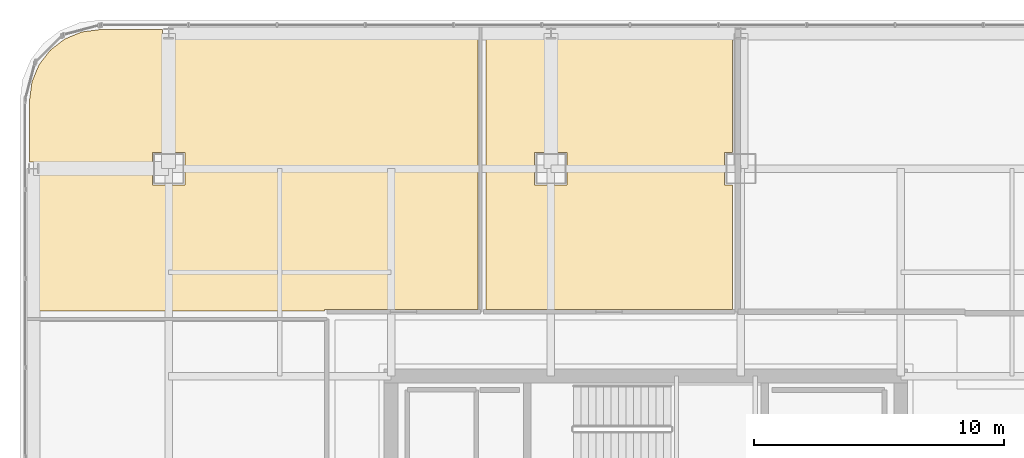
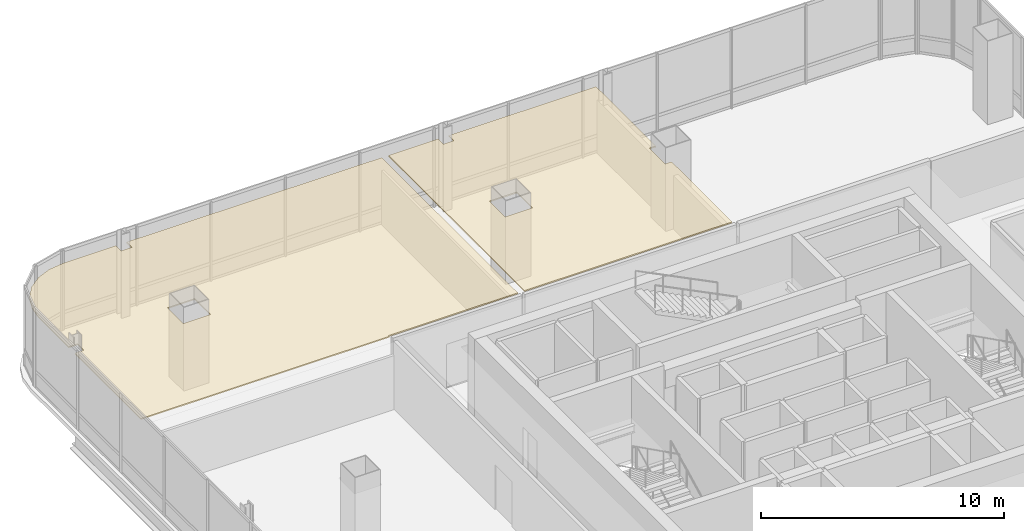
# One storey, part 41 of 41: 2 coverings.
"""IFC4 building model written with IfcOpenShell, lengths in metres."""

import ifcopenshell
import ifcopenshell.guid

model = None  # the IFC model being written
_history = None  # IfcOwnerHistory: only IFC2X3 demands one
_inside = {}  # id of a spatial element -> (the spatial element, [elements in it])
_under = {}  # id of a project, library or spatial element -> (it, [spatial elements below it])
_declared = {}  # id of a project -> (the project, [libraries it declares])
_typed = {}  # id of a type object -> (the type object, [elements of that type])
_made_of = {}  # id of a material, layer set ... -> (it, [elements and type objects made of it])


def new_model(schema):
    """Start an empty IFC model of exactly this schema.

    Asked for "IFC4X3", IfcOpenShell would pick the latest addendum, in which some entities
    have other attributes; the version numbers below select the first issue.
    IFC2X3 requires an IfcOwnerHistory on every rooted entity: one is made here for all.
    """
    global model, _history
    if schema == "IFC4X3":
        model = ifcopenshell.file(schema_version=(4, 3, 0, 0))
    else:
        model = ifcopenshell.file(schema=schema)
    _inside.clear()
    _under.clear()
    _declared.clear()
    _typed.clear()
    _made_of.clear()
    _history = None
    if model.schema == "IFC2X3":
        org = make("IfcOrganization", Name="unknown")
        user = make(
            "IfcPersonAndOrganization",
            ThePerson=make("IfcPerson", FamilyName="unknown"),
            TheOrganization=org,
        )
        app = make(
            "IfcApplication",
            ApplicationDeveloper=org,
            Version="unknown",
            ApplicationFullName="unknown",
            ApplicationIdentifier="unknown",
        )
        _history = make(
            "IfcOwnerHistory",
            OwningUser=user,
            OwningApplication=app,
            ChangeAction="ADDED",
            CreationDate=0,
        )
    return model


def make(cls, **values):
    """One entity of the class cls with the attributes given. An attribute that is None is left unset."""
    return model.create_entity(
        cls, **{name: value for name, value in values.items() if value is not None}
    )


def rooted(cls, **values):
    """An entity with a GlobalId (a new one), such as an element, a storey or a relation."""
    return make(cls, GlobalId=ifcopenshell.guid.new(), OwnerHistory=_history, **values)


def si_unit(unit_type, name, prefix=None):
    """IfcSIUnit, for example si_unit("LENGTHUNIT", "METRE", prefix="MILLI")."""
    return make("IfcSIUnit", UnitType=unit_type, Prefix=prefix, Name=name)


def assignment(units):
    """IfcUnitAssignment: the units of a project."""
    return None if units is None else make("IfcUnitAssignment", Units=units)


def point(xyz):
    """IfcCartesianPoint."""
    return None if xyz is None else make("IfcCartesianPoint", Coordinates=xyz)


def direction(xyz):
    """IfcDirection."""
    return None if xyz is None else make("IfcDirection", DirectionRatios=xyz)


def frame(location, z_axis=None, x_axis=None):
    """IfcAxis2Placement3D, a coordinate frame: its origin and axes. An axis left out is left unset."""
    return make(
        "IfcAxis2Placement3D",
        Location=point(location),
        Axis=direction(z_axis),
        RefDirection=direction(x_axis),
    )


def origin():
    """The frame at (0, 0, 0) with its axes left unset."""
    return frame((0.0, 0.0, 0.0))


def place(relative_to, where):
    """IfcLocalPlacement: puts the frame where relative to a parent placement (None: the world)."""
    return make(
        "IfcLocalPlacement", PlacementRelTo=relative_to, RelativePlacement=where
    )


def context(
    kind, dimensions, precision=None, world=None, true_north=None, identifier=None
):
    """IfcGeometricRepresentationContext, for example the 3D "Model" context."""
    return make(
        "IfcGeometricRepresentationContext",
        ContextIdentifier=identifier,
        ContextType=kind,
        CoordinateSpaceDimension=dimensions,
        Precision=precision,
        WorldCoordinateSystem=world,
        TrueNorth=true_north,
    )


def subcontext(parent, identifier, kind, view, scale=None):
    """IfcGeometricRepresentationSubContext, for example "Body" below "Model"."""
    return make(
        "IfcGeometricRepresentationSubContext",
        ContextIdentifier=identifier,
        ContextType=kind,
        ParentContext=parent,
        TargetScale=scale,
        TargetView=view,
    )


def project(units=None, contexts=None):
    """IfcProject with its units and contexts."""
    return rooted(
        "IfcProject",
        Name="project",
        RepresentationContexts=contexts,
        UnitsInContext=assignment(units),
    )


def spatial(cls, under=None, at=None, **own):
    """A site, building, storey or space (cls), placed at a placement, below another one or the project."""
    s = rooted(cls, ObjectPlacement=at, **own)
    if under is not None:
        _under.setdefault(under.id(), (under, []))[1].append(s)
    return s


def polyline(points):
    """IfcPolyline through the points."""
    return make("IfcPolyline", Points=[point(p) for p in points])


def outline(outer, holes=None, kind="AREA"):
    """IfcArbitraryClosedProfileDef: a profile drawn as a closed curve; with holes, ...WithVoids."""
    if holes is None:
        return make("IfcArbitraryClosedProfileDef", ProfileType=kind, OuterCurve=outer)
    return make(
        "IfcArbitraryProfileDefWithVoids",
        ProfileType=kind,
        OuterCurve=outer,
        InnerCurves=holes,
    )


def extrude(swept, where, along, depth):
    """IfcExtrudedAreaSolid: the profile swept, set in the frame where, extruded along a direction by depth."""
    return make(
        "IfcExtrudedAreaSolid",
        SweptArea=swept,
        Position=where,
        ExtrudedDirection=direction(along),
        Depth=depth,
    )


def shape(context_of_items, identifier, shape_type, items):
    """IfcShapeRepresentation: the items that make up one representation, for example the "Body"."""
    return make(
        "IfcShapeRepresentation",
        ContextOfItems=context_of_items,
        RepresentationIdentifier=identifier,
        RepresentationType=shape_type,
        Items=items,
    )


def material(Name=None, Category=None):
    """IfcMaterial."""
    return make("IfcMaterial", Name=Name, Category=Category)


def layer(
    of_material, thickness, ventilated=None, Name=None, Category=None, Priority=None
):
    """IfcMaterialLayer: one layer of a wall or slab, of a material (None: an air gap)."""
    return make(
        "IfcMaterialLayer",
        Material=of_material,
        LayerThickness=thickness,
        IsVentilated=ventilated,
        Name=Name,
        Category=Category,
        Priority=Priority,
    )


def layer_set(layers, Name=None):
    """IfcMaterialLayerSet."""
    return make("IfcMaterialLayerSet", MaterialLayers=layers, LayerSetName=Name)


def made_of(thing, what):
    """Note that an element or type object is made of a material, layer set ...; save() writes the relation."""
    if what is not None:
        _made_of.setdefault(what.id(), (what, []))[1].append(thing)
    return thing


def type_object(cls, material=None, **own):
    """A type object (cls), such as IfcWallType, which elements share."""
    return made_of(rooted(cls, **own), material)


def element(
    cls,
    number,
    at=None,
    inside=None,
    cuts=None,
    type_object=None,
    material=None,
    context=None,
    identifier="Body",
    shape_type=None,
    held_by="IfcProductDefinitionShape",
    body=None,
    shapes=None,
    **own,
):
    """One element of the class cls, such as IfcWall. Its Tag is "e" and its number.

    at: its placement. inside: the storey or other place that contains it. cuts: it is an
    opening in that element (IfcRelVoidsElement). A single representation is given by context,
    identifier, shape_type and body (its items); several are given by shapes. held_by: the class
    of the entity that holds the representations. save() writes the other relations.
    """
    e = rooted(cls, Tag="e%d" % number, ObjectPlacement=at, **own)
    if body is not None:
        shapes = [shape(context, identifier, shape_type, body)]
    if shapes is not None:
        e.Representation = make(held_by, Representations=shapes)
    if inside is not None:
        _inside.setdefault(inside.id(), (inside, []))[1].append(e)
    if cuts is not None:
        rooted(
            "IfcRelVoidsElement", RelatingBuildingElement=cuts, RelatedOpeningElement=e
        )
    if type_object is not None:
        _typed.setdefault(type_object.id(), (type_object, []))[1].append(e)
    return made_of(e, material)


def aggregate(whole, parts):
    """IfcRelAggregates: a whole, such as a stair, and the parts it consists of."""
    return rooted("IfcRelAggregates", RelatingObject=whole, RelatedObjects=parts)


def save(model, path):
    """Write the relations noted so far, then the file.

    IfcRelAggregates (storeys below a building ...), IfcRelContainedInSpatialStructure (elements
    in a storey), IfcRelDefinesByType, IfcRelAssociatesMaterial and IfcRelDeclares: one each for
    every whole, place, type object, material and project.
    """
    for whole, parts in _under.values():
        aggregate(whole, parts)
    for where, things in _inside.values():
        rooted(
            "IfcRelContainedInSpatialStructure",
            RelatedElements=things,
            RelatingStructure=where,
        )
    for kind, things in _typed.values():
        rooted("IfcRelDefinesByType", RelatedObjects=things, RelatingType=kind)
    for what, things in _made_of.values():
        rooted("IfcRelAssociatesMaterial", RelatedObjects=things, RelatingMaterial=what)
    for by, libraries in _declared.values():
        rooted("IfcRelDeclares", RelatingContext=by, RelatedDefinitions=libraries)
    model.write(path)


model = new_model("IFC4")

# Units and contexts
model_context = context("Model", 3, precision=1e-05, world=origin(), true_north=direction((0.0, 1.0)))
body_context = subcontext(model_context, "Body", "Model", "MODEL_VIEW")
ifc_project = project(units=[si_unit("LENGTHUNIT", "METRE"), si_unit("AREAUNIT", "SQUARE_METRE"), si_unit("VOLUMEUNIT", "CUBIC_METRE"), si_unit("PLANEANGLEUNIT", "RADIAN"), si_unit("MASSUNIT", "GRAM", prefix="KILO")], contexts=[model_context])

# Site, building, storey
site_placement = place(None, origin())
site = spatial("IfcSite", under=ifc_project, at=site_placement, CompositionType="ELEMENT")
building_placement = place(site_placement, origin())
building = spatial("IfcBuilding", under=site, at=building_placement, Name="Punatoya Terracotta Tower", CompositionType="ELEMENT")
storey_placement = place(building_placement, frame((0.0, 0.0, 288.0)))
storey = spatial("IfcBuildingStorey", under=building, at=storey_placement, Name="L68", CompositionType="ELEMENT", Elevation=288.0)

# Coverings
ifc_material = material(Name="Acoustic Mineral Fibre Ceiling")
ifc_layer = layer(ifc_material, 0.06005859375)
ifc_layer_set = layer_set([ifc_layer], Name="Acoustic Mineral Fibre Ceiling")
covering_type = type_object("IfcCoveringType", Name="COV-CEIL-60", PredefinedType="CEILING", material=ifc_layer_set)
covering_1_placement = place(storey_placement, frame((0.0, 0.0, 3.389892578125)))
element("IfcCovering", 1, at=covering_1_placement, inside=storey, type_object=covering_type, Name="L68 Wellness Rest Room Acoustic Ceiling", PredefinedType="CEILING", context=body_context, shape_type="SweptSolid", body=[
    extrude(outline(polyline([(-18.846923828125, 23.070068359375), (-18.846923828125, 22.64208984375), (-19.35302734375, 22.64208984375), (-19.35302734375, 23.070068359375), (-21.8251953125, 23.070068359375), (-22.5791015625, 22.970703125), (-23.25830078125, 22.689453125), (-23.841796875, 22.24169921875), (-24.289306640625, 21.658203125), (-24.57080078125, 20.97900390625), (-24.669921875, 20.22509765625), (-24.669921875, 17.758056640625), (-24.2470703125, 17.758056640625), (-24.2470703125, 17.241943359375), (-24.669921875, 17.241943359375), (-24.669921875, 11.81005859375), (-12.8701171875, 11.81005859375), (-12.8701171875, 11.8701171875), (-6.72705078125, 11.8701171875), (-6.72705078125, 23.070068359375), (-18.846923828125, 23.070068359375)]), holes=[polyline([(-19.75, 18.14990234375), (-18.449951171875, 18.14990234375), (-18.449951171875, 16.85009765625), (-19.75, 16.85009765625), (-19.75, 18.14990234375)])]), origin(), (0.0, 0.0, 1.0), 0.06005859375),
])
covering_2_placement = place(storey_placement, frame((0.0, 0.0, 3.389892578125)))
element("IfcCovering", 2, at=covering_2_placement, inside=storey, type_object=covering_type, Name="L68 Open-Plan Hydrology Modelling Laboratory Acoustic Ceiling", PredefinedType="CEILING", context=body_context, shape_type="SweptSolid", body=[
    extrude(outline(polyline([(3.458984375, 23.070068359375), (-3.547119140625, 23.070068359375), (-3.547119140625, 22.64208984375), (-4.052978515625, 22.64208984375), (-4.052978515625, 23.070068359375), (-6.406982421875, 23.070068359375), (-6.406982421875, 11.8701171875), (3.458984375, 11.8701171875), (3.458984375, 16.85009765625), (3.14990234375, 16.85009765625), (3.14990234375, 18.14990234375), (3.458984375, 18.14990234375), (3.458984375, 23.070068359375)]), holes=[polyline([(-4.449951171875, 16.85009765625), (-4.449951171875, 18.14990234375), (-3.14990234375, 18.14990234375), (-3.14990234375, 16.85009765625), (-4.449951171875, 16.85009765625)])]), origin(), (0.0, 0.0, 1.0), 0.06005859375),
])

save(model, "model.ifc")
